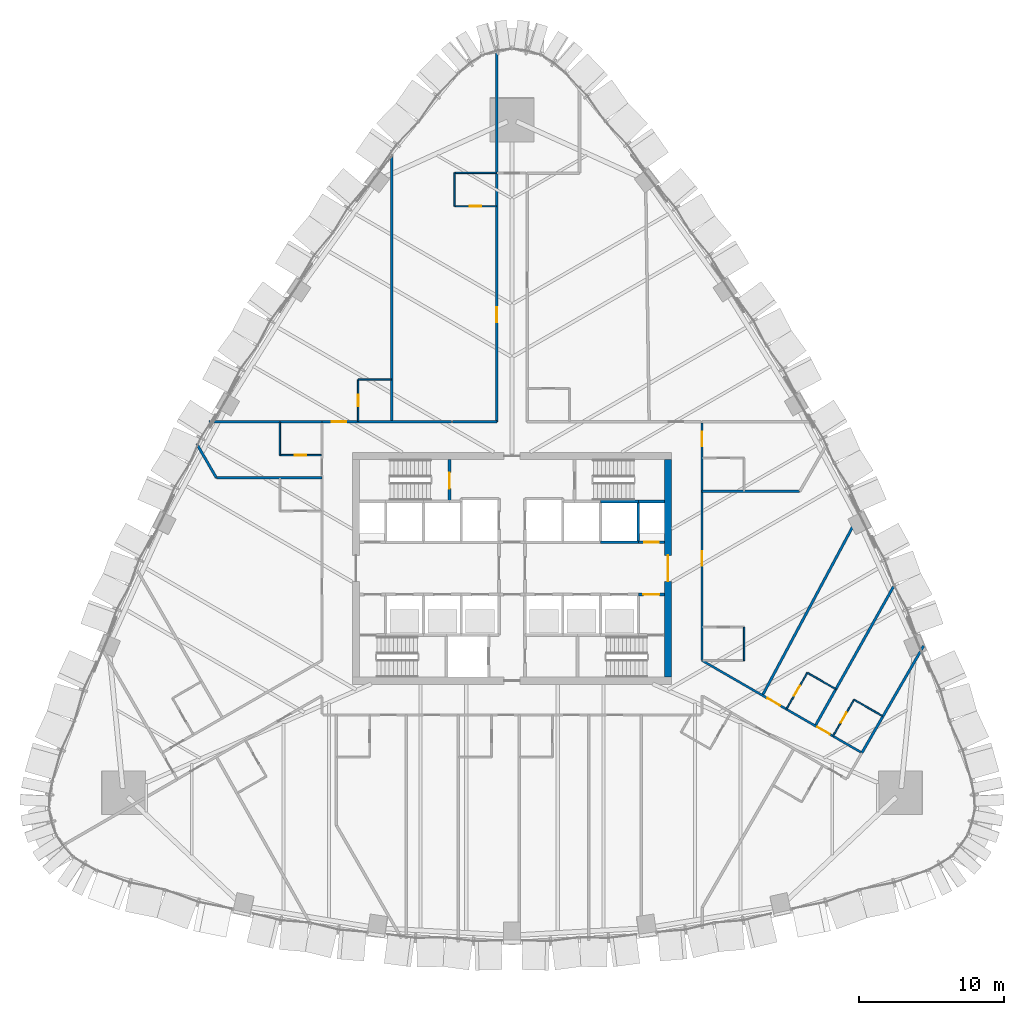
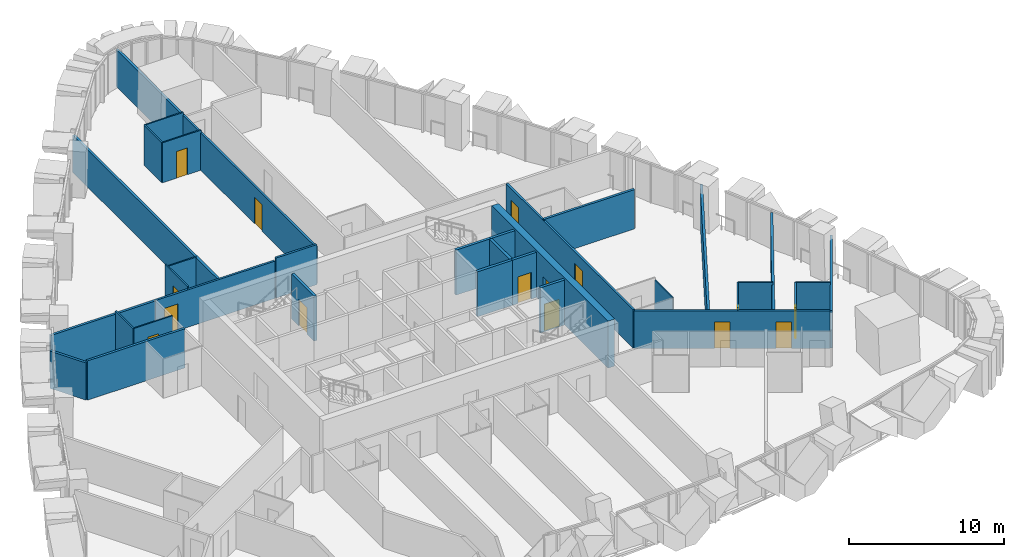
# One storey, part 16 of 22: 34 walls, 15 doors, 15 openings.
"""IFC4 building model written with IfcOpenShell, lengths in metres."""

from ifc_helpers import new_model, si_unit, direction, frame, frame_2d, origin, place, context, subcontext, project, spatial, rectangle, extrude, material, layer, layer_set, type_object, element, fill, save


model = new_model("IFC4")

# Units and contexts
model_context = context("Model", 3, precision=1e-05, world=origin(), true_north=direction((0.0, 1.0)))
body_context = subcontext(model_context, "Body", "Model", "MODEL_VIEW")
ifc_project = project(units=[si_unit("LENGTHUNIT", "METRE"), si_unit("AREAUNIT", "SQUARE_METRE"), si_unit("VOLUMEUNIT", "CUBIC_METRE"), si_unit("PLANEANGLEUNIT", "RADIAN"), si_unit("MASSUNIT", "GRAM", prefix="KILO")], contexts=[model_context])

# Site, building, storey
site_placement = place(None, origin())
site = spatial("IfcSite", under=ifc_project, at=site_placement, CompositionType="ELEMENT")
building_placement = place(site_placement, origin())
building = spatial("IfcBuilding", under=site, at=building_placement, Name="Sierra Prisma Convention Tower", CompositionType="ELEMENT")
storey_placement = place(building_placement, frame((0.0, 0.0, 62.800048828125)))
storey = spatial("IfcBuildingStorey", under=building, at=storey_placement, Name="L11", CompositionType="ELEMENT", Elevation=62.800048828125)

# Wall, opening, door
ifc_material_1 = material(Name="Gypsum board partition", Category="gypsum")
ifc_layer_1 = layer(ifc_material_1, 0.10009765625)
ifc_layer_set_1 = layer_set([ifc_layer_1], Name="Bathroom partition 100")
wall_type_1 = type_object("IfcWallType", Name="Bathroom partition 100", PredefinedType="PARTITIONING", material=ifc_layer_set_1)
wall_1_placement = place(storey_placement, frame((-13.1298828125, 7.800048828125, 0.0), z_axis=(0.0, 0.0, 1.0), x_axis=(-1.0, 0.0, 0.0)))
wall_1 = element("IfcWall", 1, at=wall_1_placement, inside=storey, type_object=wall_type_1, Name="Partition L11 bath 7", PredefinedType="PARTITIONING", context=body_context, shape_type="SweptSolid", body=[
    extrude(rectangle(XDim=2.8701171875, YDim=0.10009765625, at=frame_2d((1.43505859375, 0.0))), origin(), (0.0, 0.0, 1.0), 3.14990234375),
])
opening_1_placement = place(wall_1_placement, frame((1.034912109375, 0.0, 0.0)))
opening_1 = element("IfcOpeningElement", 2, at=opening_1_placement, cuts=wall_1, Name="Opening L11-D005", PredefinedType="OPENING", context=body_context, shape_type="SweptSolid", body=[
    extrude(rectangle(XDim=0.800048828125, YDim=2.10009765625, at=frame_2d((0.39990234375, 1.050048828125))), frame((0.0, 0.050048828125, 0.0), z_axis=(0.0, -1.0, 0.0), x_axis=(1.0, 0.0, 0.0)), (0.0, 0.0, 1.0), 0.10009765625),
])
ifc_material_2 = material(Name="Solid core timber door leaf", Category="wood")
door_type_1 = type_object("IfcDoorType", Name="Door 800x2100 plain", OperationType="SINGLE_SWING_LEFT", PredefinedType="DOOR", material=ifc_material_2)
door_1_placement = place(opening_1_placement, origin())
door_1 = element("IfcDoor", 3, at=door_1_placement, inside=storey, type_object=door_type_1, Name="Door L11 12", OperationType="SINGLE_SWING_RIGHT", OverallHeight=2.10009765625, OverallWidth=0.800048828125, PredefinedType="DOOR", context=body_context, shape_type="SweptSolid", body=[
    extrude(rectangle(XDim=0.800048828125, YDim=2.10009765625, at=frame_2d((0.39990234375, 1.050048828125))), frame((0.0, 0.02490234375, 0.0), z_axis=(0.0, -1.0, 0.0), x_axis=(1.0, 0.0, 0.0)), (0.0, 0.0, 1.0), 0.050048828125),
])
fill(opening_1, door_1)

# Wall
wall_2_placement = place(storey_placement, frame((-16.0, 7.800048828125, 0.0), z_axis=(0.0, 0.0, 1.0), x_axis=(0.0, 1.0, 0.0)))
element("IfcWall", 4, at=wall_2_placement, inside=storey, type_object=wall_type_1, Name="Partition L11 bath 8", PredefinedType="PARTITIONING", context=body_context, shape_type="SweptSolid", body=[
    extrude(rectangle(XDim=2.27001953125, YDim=0.10009765625, at=frame_2d((1.135009765625, 0.0))), origin(), (0.0, 0.0, 1.0), 3.14990234375),
])

# Wall, opening, door
wall_3_placement = place(storey_placement, frame((-10.60009765625, 10.1298828125, 0.0), z_axis=(0.0, 0.0, 1.0), x_axis=(0.0, 1.0, 0.0)))
wall_3 = element("IfcWall", 5, at=wall_3_placement, inside=storey, type_object=wall_type_1, Name="Partition L11 bath 11", PredefinedType="PARTITIONING", context=body_context, shape_type="SweptSolid", body=[
    extrude(rectangle(XDim=2.8701171875, YDim=0.10009765625, at=frame_2d((1.43505859375, 0.0))), origin(), (0.0, 0.0, 1.0), 3.14990234375),
])
opening_2_placement = place(wall_3_placement, frame((1.034912109375, 0.0, 0.0)))
opening_2 = element("IfcOpeningElement", 6, at=opening_2_placement, cuts=wall_3, Name="Opening L11-D004", PredefinedType="OPENING", context=body_context, shape_type="SweptSolid", body=[
    extrude(rectangle(XDim=0.800048828125, YDim=2.10009765625, at=frame_2d((0.39990234375, 1.050048828125))), frame((0.0, 0.050048828125, 0.0), z_axis=(0.0, -1.0, 0.0), x_axis=(1.0, 0.0, 0.0)), (0.0, 0.0, 1.0), 0.10009765625),
])
door_2_placement = place(opening_2_placement, origin())
door_2 = element("IfcDoor", 7, at=door_2_placement, inside=storey, type_object=door_type_1, Name="Door L11 10", OperationType="SINGLE_SWING_LEFT", OverallHeight=2.10009765625, OverallWidth=0.800048828125, PredefinedType="DOOR", context=body_context, shape_type="SweptSolid", body=[
    extrude(rectangle(XDim=0.800048828125, YDim=2.10009765625, at=frame_2d((0.39990234375, 1.050048828125))), frame((0.0, 0.02490234375, 0.0), z_axis=(0.0, -1.0, 0.0), x_axis=(1.0, 0.0, 0.0)), (0.0, 0.0, 1.0), 0.050048828125),
])
fill(opening_2, door_2)

# Wall
wall_4_placement = place(storey_placement, frame((-10.60009765625, 13.0, 0.0), z_axis=(0.0, 0.0, 1.0), x_axis=(1.0, 0.0, 0.0)))
element("IfcWall", 8, at=wall_4_placement, inside=storey, type_object=wall_type_1, Name="Partition L11 bath 12", PredefinedType="PARTITIONING", context=body_context, shape_type="SweptSolid", body=[
    extrude(rectangle(XDim=2.27001953125, YDim=0.10009765625, at=frame_2d((1.135009765625, 0.0))), origin(), (0.0, 0.0, 1.0), 2.947021484375),
])

# Wall, opening, door
wall_5_placement = place(storey_placement, frame((-1.080078125, 24.953125, 0.0), z_axis=(0.0, 0.0, 1.0), x_axis=(-1.0, 0.0, 0.0)))
wall_5 = element("IfcWall", 9, at=wall_5_placement, inside=storey, type_object=wall_type_1, Name="Partition L11 bath 15", PredefinedType="PARTITIONING", context=body_context, shape_type="SweptSolid", body=[
    extrude(rectangle(XDim=2.869873046875, YDim=0.10009765625, at=frame_2d((1.43505859375, 0.0))), origin(), (0.0, 0.0, 1.0), 3.14990234375),
])
opening_3_placement = place(wall_5_placement, frame((1.034912109375, 0.0, 0.0)))
opening_3 = element("IfcOpeningElement", 10, at=opening_3_placement, cuts=wall_5, Name="Opening L11-D003", PredefinedType="OPENING", context=body_context, shape_type="SweptSolid", body=[
    extrude(rectangle(XDim=0.800048828125, YDim=2.10009765625, at=frame_2d((0.39990234375, 1.050048828125))), frame((0.0, 0.050048828125, 0.0), z_axis=(0.0, -1.0, 0.0), x_axis=(1.0, 0.0, 0.0)), (0.0, 0.0, 1.0), 0.10009765625),
])
door_3_placement = place(opening_3_placement, origin())
door_3 = element("IfcDoor", 11, at=door_3_placement, inside=storey, type_object=door_type_1, Name="Door L11 8", OperationType="SINGLE_SWING_LEFT", OverallHeight=2.10009765625, OverallWidth=0.800048828125, PredefinedType="DOOR", context=body_context, shape_type="SweptSolid", body=[
    extrude(rectangle(XDim=0.800048828125, YDim=2.10009765625, at=frame_2d((0.39990234375, 1.050048828125))), frame((0.0, 0.02490234375, 0.0), z_axis=(0.0, -1.0, 0.0), x_axis=(1.0, 0.0, 0.0)), (0.0, 0.0, 1.0), 0.050048828125),
])
fill(opening_3, door_3)

# Walls
wall_6_placement = place(storey_placement, frame((-3.949951171875, 24.953125, 0.0), z_axis=(0.0, 0.0, 1.0), x_axis=(0.0, 1.0, 0.0)))
element("IfcWall", 12, at=wall_6_placement, inside=storey, type_object=wall_type_1, Name="Partition L11 bath 16", PredefinedType="PARTITIONING", context=body_context, shape_type="SweptSolid", body=[
    extrude(rectangle(XDim=2.300048828125, YDim=0.10009765625, at=frame_2d((1.14990234375, 0.0))), origin(), (0.0, 0.0, 1.0), 3.14990234375),
])
wall_7_placement = place(storey_placement, frame((-3.949951171875, 27.253173828125, 0.0), z_axis=(0.0, 0.0, 1.0), x_axis=(1.0, 0.0, 0.0)))
element("IfcWall", 13, at=wall_7_placement, inside=storey, type_object=wall_type_1, Name="Partition L11 bath 17", PredefinedType="PARTITIONING", context=body_context, shape_type="SweptSolid", body=[
    extrude(rectangle(XDim=2.869873046875, YDim=0.10009765625, at=frame_2d((1.43505859375, 0.0))), origin(), (0.0, 0.0, 1.0), 3.14990234375),
])
wall_8_placement = place(storey_placement, frame((16.0, -4.05078125, 0.0), z_axis=(0.0, 0.0, 1.0), x_axis=(0.0, -1.0, 0.0)))
element("IfcWall", 14, at=wall_8_placement, inside=storey, type_object=wall_type_1, Name="Partition L11 bath 26", PredefinedType="PARTITIONING", context=body_context, shape_type="SweptSolid", body=[
    extrude(rectangle(XDim=2.300048828125, YDim=0.10009765625, at=frame_2d((1.14990234375, 0.0))), origin(), (0.0, 0.0, 1.0), 2.947021484375),
])

# Wall, opening, door
wall_9_placement = place(storey_placement, frame((18.91748046875, -9.6748046875, 0.0), z_axis=(0.0, 0.0, 1.0), x_axis=(0.499972835562, 0.866041086612, 0.0)))
wall_9 = element("IfcWall", 15, at=wall_9_placement, inside=storey, type_object=wall_type_1, Name="Partition L11 bath 32", PredefinedType="PARTITIONING", context=body_context, shape_type="SweptSolid", body=[
    extrude(rectangle(XDim=2.869873046875, YDim=0.10009765625, at=frame_2d((1.43505859375, 0.0))), origin(), (0.0, 0.0, 1.0), 3.14990234375),
])
opening_4_placement = place(wall_9_placement, frame((1.034912109375, 0.0, 0.0)))
opening_4 = element("IfcOpeningElement", 16, at=opening_4_placement, cuts=wall_9, Name="Opening L11-D015", PredefinedType="OPENING", context=body_context, shape_type="SweptSolid", body=[
    extrude(rectangle(XDim=0.800048828125, YDim=2.10009765625, at=frame_2d((0.39990234375, 1.050048828125))), frame((0.0, 0.050048828125, 0.0), z_axis=(0.0, -1.0, 0.0), x_axis=(1.0, 0.0, 0.0)), (0.0, 0.0, 1.0), 0.10009765625),
])
door_4_placement = place(opening_4_placement, origin())
door_4 = element("IfcDoor", 17, at=door_4_placement, inside=storey, type_object=door_type_1, Name="Door L11 36", OperationType="SINGLE_SWING_LEFT", OverallHeight=2.10009765625, OverallWidth=0.800048828125, PredefinedType="DOOR", context=body_context, shape_type="SweptSolid", body=[
    extrude(rectangle(XDim=0.800048828125, YDim=2.10009765625, at=frame_2d((0.39990234375, 1.050048828125))), frame((0.0, 0.02490234375, 0.0), z_axis=(0.0, -1.0, 0.0), x_axis=(1.0, 0.0, 0.0)), (0.0, 0.0, 1.0), 0.050048828125),
])
fill(opening_4, door_4)

# Wall
wall_10_placement = place(storey_placement, frame((20.352294921875, -7.189453125, 0.0), z_axis=(0.0, 0.0, 1.0), x_axis=(0.866017224141, -0.500014167291, 0.0)))
element("IfcWall", 18, at=wall_10_placement, inside=storey, type_object=wall_type_1, Name="Partition L11 bath 33", PredefinedType="PARTITIONING", context=body_context, shape_type="SweptSolid", body=[
    extrude(rectangle(XDim=2.27001953125, YDim=0.10009765625, at=frame_2d((1.135009765625, 0.0))), origin(), (0.0, 0.0, 1.0), 3.14990234375),
])

# Wall, opening, door
wall_11_placement = place(storey_placement, frame((22.1328125, -11.53125, 0.0), z_axis=(0.0, 0.0, 1.0), x_axis=(0.500036638401, 0.866004249561, 0.0)))
wall_11 = element("IfcWall", 19, at=wall_11_placement, inside=storey, type_object=wall_type_1, Name="Partition L11 bath 34", PredefinedType="PARTITIONING", context=body_context, shape_type="SweptSolid", body=[
    extrude(rectangle(XDim=2.869873046875, YDim=0.10009765625, at=frame_2d((1.43505859375, 0.0))), origin(), (0.0, 0.0, 1.0), 3.14990234375),
])
opening_5_placement = place(wall_11_placement, frame((1.034912109375, 0.0, 0.0)))
opening_5 = element("IfcOpeningElement", 20, at=opening_5_placement, cuts=wall_11, Name="Opening L11-D014", PredefinedType="OPENING", context=body_context, shape_type="SweptSolid", body=[
    extrude(rectangle(XDim=0.800048828125, YDim=2.10009765625, at=frame_2d((0.39990234375, 1.050048828125))), frame((0.0, 0.050048828125, 0.0), z_axis=(0.0, -1.0, 0.0), x_axis=(1.0, 0.0, 0.0)), (0.0, 0.0, 1.0), 0.10009765625),
])
door_5_placement = place(opening_5_placement, origin())
door_5 = element("IfcDoor", 21, at=door_5_placement, inside=storey, type_object=door_type_1, Name="Door L11 34", OperationType="SINGLE_SWING_RIGHT", OverallHeight=2.10009765625, OverallWidth=0.800048828125, PredefinedType="DOOR", context=body_context, shape_type="SweptSolid", body=[
    extrude(rectangle(XDim=0.800048828125, YDim=2.10009765625, at=frame_2d((0.39990234375, 1.050048828125))), frame((0.0, 0.02490234375, 0.0), z_axis=(0.0, -1.0, 0.0), x_axis=(1.0, 0.0, 0.0)), (0.0, 0.0, 1.0), 0.050048828125),
])
fill(opening_5, door_5)

# Wall
wall_12_placement = place(storey_placement, frame((23.56787109375, -9.0458984375, 0.0), z_axis=(0.0, 0.0, 1.0), x_axis=(0.866017224141, -0.500014167291, 0.0)))
element("IfcWall", 22, at=wall_12_placement, inside=storey, type_object=wall_type_1, Name="Partition L11 bath 35", PredefinedType="PARTITIONING", context=body_context, shape_type="SweptSolid", body=[
    extrude(rectangle(XDim=2.27001953125, YDim=0.10009765625, at=frame_2d((1.135009765625, 0.0))), origin(), (0.0, 0.0, 1.0), 3.14990234375),
])

# Wall, opening, door
ifc_material_3 = material(Name="Concrete C30/37", Category="concrete")
ifc_layer_2 = layer(ifc_material_3, 0.199951171875)
ifc_layer_set_2 = layer_set([ifc_layer_2], Name="Core wall RC 200 C30/37")
wall_type_2 = type_object("IfcWallType", Name="Core wall RC 200 C30/37", PredefinedType="SOLIDWALL", material=ifc_layer_set_2)
wall_13_placement = place(storey_placement, frame((-4.300048828125, 4.60009765625, 0.0), z_axis=(0.0, 0.0, 1.0), x_axis=(0.0, 1.0, 0.0)))
wall_13 = element("IfcWall", 23, at=wall_13_placement, inside=storey, type_object=wall_type_2, Name="Core wall L11 20", PredefinedType="SOLIDWALL", context=body_context, shape_type="SweptSolid", body=[
    extrude(rectangle(XDim=2.89990234375, YDim=0.199951171875, at=frame_2d((1.449951171875, 0.0))), origin(), (0.0, 0.0, 1.0), 3.550048828125),
])
opening_6_placement = place(wall_13_placement, frame((0.89990234375, 0.0, 0.0)))
opening_6 = element("IfcOpeningElement", 24, at=opening_6_placement, cuts=wall_13, Name="Opening L11-D036", PredefinedType="OPENING", context=body_context, shape_type="SweptSolid", body=[
    extrude(rectangle(XDim=1.10009765625, YDim=2.10009765625, at=frame_2d((0.550048828125, 1.050048828125))), frame((0.0, 0.10009765625, 0.0), z_axis=(0.0, -1.0, 0.0), x_axis=(1.0, 0.0, 0.0)), (0.0, 0.0, 1.0), 0.199951171875),
])
ifc_material_4 = material(Name="Steel fire door leaf", Category="steel")
door_type_2 = type_object("IfcDoorType", Name="Door 1100x2100 FD90S", OperationType="SINGLE_SWING_LEFT", PredefinedType="DOOR", material=ifc_material_4)
door_6_placement = place(opening_6_placement, origin())
door_6 = element("IfcDoor", 25, at=door_6_placement, inside=storey, type_object=door_type_2, Name="Door L11 58", OperationType="SINGLE_SWING_RIGHT", OverallHeight=2.10009765625, OverallWidth=1.10009765625, PredefinedType="DOOR", context=body_context, shape_type="SweptSolid", body=[
    extrude(rectangle(XDim=1.10009765625, YDim=2.10009765625, at=frame_2d((0.550048828125, 1.050048828125))), frame((0.0, 0.02490234375, 0.0), z_axis=(0.0, -1.0, 0.0), x_axis=(1.0, 0.0, 0.0)), (0.0, 0.0, 1.0), 0.050048828125),
])
fill(opening_6, door_6)

# Walls
for number, where, z_axis, x_axis, name in (
    (26, (8.699951171875, 1.800048828125, 0.0), (0.0, 0.0, 1.0), (-1.0, 0.0, 0.0), "Core wall L11 57"),
    (27, (8.699951171875, 4.60009765625, 0.0), (0.0, 0.0, 1.0), (-1.0, 0.0, 0.0), "Core wall L11 59"),
):
    element("IfcWall", number, at=place(storey_placement, frame(where, z_axis=z_axis, x_axis=x_axis)), inside=storey, type_object=wall_type_2, Name=name, PredefinedType="SOLIDWALL", context=body_context, shape_type="SweptSolid", body=[
        extrude(rectangle(XDim=2.599853515625, YDim=0.199951171875, at=frame_2d((1.2998046875, 0.0))), origin(), (0.0, 0.0, 1.0), 3.550048828125),
    ])

# Wall, opening, door
wall_14_placement = place(storey_placement, frame((8.699951171875, -1.800048828125, 0.0), z_axis=(0.0, 0.0, 1.0), x_axis=(1.0, 0.0, 0.0)))
wall_14 = element("IfcWall", 28, at=wall_14_placement, inside=storey, type_object=wall_type_2, Name="Core wall L11 62", PredefinedType="SOLIDWALL", context=body_context, shape_type="SweptSolid", body=[
    extrude(rectangle(XDim=1.800048828125, YDim=0.199951171875, at=frame_2d((0.89990234375, 0.0))), origin(), (0.0, 0.0, 1.0), 3.550048828125),
])
opening_7_placement = place(wall_14_placement, frame((0.35009765625, 0.0, 0.0)))
opening_7 = element("IfcOpeningElement", 29, at=opening_7_placement, cuts=wall_14, Name="Opening L11-D029", PredefinedType="OPENING", context=body_context, shape_type="SweptSolid", body=[
    extrude(rectangle(XDim=1.10009765625, YDim=2.10009765625, at=frame_2d((0.550048828125, 1.050048828125))), frame((0.0, 0.10009765625, 0.0), z_axis=(0.0, -1.0, 0.0), x_axis=(1.0, 0.0, 0.0)), (0.0, 0.0, 1.0), 0.199951171875),
])
door_7_placement = place(opening_7_placement, origin())
door_7 = element("IfcDoor", 30, at=door_7_placement, inside=storey, type_object=door_type_2, Name="Door L11 51", OperationType="SINGLE_SWING_LEFT", OverallHeight=2.10009765625, OverallWidth=1.10009765625, PredefinedType="DOOR", context=body_context, shape_type="SweptSolid", body=[
    extrude(rectangle(XDim=1.10009765625, YDim=2.10009765625, at=frame_2d((0.550048828125, 1.050048828125))), frame((0.0, 0.02490234375, 0.0), z_axis=(0.0, -1.0, 0.0), x_axis=(1.0, 0.0, 0.0)), (0.0, 0.0, 1.0), 0.050048828125),
])
fill(opening_7, door_7)

wall_15_placement = place(storey_placement, frame((10.5, 1.800048828125, 0.0), z_axis=(0.0, 0.0, 1.0), x_axis=(-1.0, 0.0, 0.0)))
wall_15 = element("IfcWall", 31, at=wall_15_placement, inside=storey, type_object=wall_type_2, Name="Core wall L11 63", PredefinedType="SOLIDWALL", context=body_context, shape_type="SweptSolid", body=[
    extrude(rectangle(XDim=1.800048828125, YDim=0.199951171875, at=frame_2d((0.89990234375, 0.0))), origin(), (0.0, 0.0, 1.0), 3.550048828125),
])
opening_8_placement = place(wall_15_placement, frame((0.39990234375, 0.0, 0.0)))
opening_8 = element("IfcOpeningElement", 32, at=opening_8_placement, cuts=wall_15, Name="Opening L11-D033", PredefinedType="OPENING", context=body_context, shape_type="SweptSolid", body=[
    extrude(rectangle(XDim=1.0, YDim=2.10009765625, at=frame_2d((0.5, 1.050048828125))), frame((0.0, 0.10009765625, 0.0), z_axis=(0.0, -1.0, 0.0), x_axis=(1.0, 0.0, 0.0)), (0.0, 0.0, 1.0), 0.199951171875),
])
ifc_material_5 = material(Name="Steel fire door leaf", Category="steel")
door_type_3 = type_object("IfcDoorType", Name="Door 1000x2100 FD60S", OperationType="SINGLE_SWING_LEFT", PredefinedType="DOOR", material=ifc_material_5)
door_8_placement = place(opening_8_placement, origin())
door_8 = element("IfcDoor", 33, at=door_8_placement, inside=storey, type_object=door_type_3, Name="Door L11 55", OperationType="SINGLE_SWING_LEFT", OverallHeight=2.10009765625, OverallWidth=1.0, PredefinedType="DOOR", context=body_context, shape_type="SweptSolid", body=[
    extrude(rectangle(XDim=1.0, YDim=2.10009765625, at=frame_2d((0.5, 1.050048828125))), frame((0.0, 0.02490234375, 0.0), z_axis=(0.0, -1.0, 0.0), x_axis=(1.0, 0.0, 0.0)), (0.0, 0.0, 1.0), 0.050048828125),
])
fill(opening_8, door_8)

# Walls
wall_16_placement = place(storey_placement, frame((8.699951171875, 4.60009765625, 0.0), z_axis=(0.0, 0.0, 1.0), x_axis=(0.0, -1.0, 0.0)))
element("IfcWall", 34, at=wall_16_placement, inside=storey, type_object=wall_type_2, Name="Core wall L11 64", PredefinedType="SOLIDWALL", context=body_context, shape_type="SweptSolid", body=[
    extrude(rectangle(XDim=2.800048828125, YDim=0.199951171875, at=frame_2d((1.39990234375, 0.0))), origin(), (0.0, 0.0, 1.0), 3.550048828125),
])
wall_17_placement = place(storey_placement, frame((10.5, 4.60009765625, 0.0), z_axis=(0.0, 0.0, 1.0), x_axis=(-1.0, 0.0, 0.0)))
element("IfcWall", 35, at=wall_17_placement, inside=storey, type_object=wall_type_2, Name="Core wall L11 65", PredefinedType="SOLIDWALL", context=body_context, shape_type="SweptSolid", body=[
    extrude(rectangle(XDim=1.800048828125, YDim=0.199951171875, at=frame_2d((0.89990234375, 0.0))), origin(), (0.0, 0.0, 1.0), 3.550048828125),
])

# Wall, opening, door
ifc_material_6 = material(Name="Concrete C60/75", Category="concrete")
ifc_layer_3 = layer(ifc_material_6, 0.5)
ifc_layer_set_3 = layer_set([ifc_layer_3], Name="Core wall RC 500 C60/75")
wall_type_3 = type_object("IfcWallType", Name="Core wall RC 500 C60/75", PredefinedType="SHEAR", material=ifc_layer_set_3)
wall_18_placement = place(storey_placement, frame((10.75, -7.5, 0.0), z_axis=(0.0, 0.0, 1.0), x_axis=(0.0, 1.0, 0.0)))
wall_18 = element("IfcWall", 36, at=wall_18_placement, inside=storey, type_object=wall_type_3, Name="Core wall E L11", PredefinedType="SHEAR", context=body_context, shape_type="SweptSolid", body=[
    extrude(rectangle(XDim=15.0, YDim=0.5, at=frame_2d((7.5, 0.0))), origin(), (0.0, 0.0, 1.0), 3.699951171875),
])
opening_9_placement = place(wall_18_placement, frame((6.60009765625, 0.0, 0.0)))
opening_9 = element("IfcOpeningElement", 37, at=opening_9_placement, cuts=wall_18, Name="Opening L11-D061", PredefinedType="OPENING", context=body_context, shape_type="SweptSolid", body=[
    extrude(rectangle(XDim=1.800048828125, YDim=2.10009765625, at=frame_2d((0.89990234375, 1.050048828125))), frame((0.0, 0.25, 0.0), z_axis=(0.0, -1.0, 0.0), x_axis=(1.0, 0.0, 0.0)), (0.0, 0.0, 1.0), 0.5),
])
ifc_material_7 = material(Name="Steel fire door leaf", Category="steel")
door_type_4 = type_object("IfcDoorType", Name="Door 1800x2100 FD60S", OperationType="DOUBLE_DOOR_SINGLE_SWING", PredefinedType="DOOR", material=ifc_material_7)
door_9_placement = place(opening_9_placement, origin())
door_9 = element("IfcDoor", 38, at=door_9_placement, inside=storey, type_object=door_type_4, Name="Door L11 62", OperationType="DOUBLE_DOOR_SINGLE_SWING", OverallHeight=2.10009765625, OverallWidth=1.800048828125, PredefinedType="DOOR", context=body_context, shape_type="SweptSolid", body=[
    extrude(rectangle(XDim=1.800048828125, YDim=2.10009765625, at=frame_2d((0.89990234375, 1.050048828125))), frame((0.0, 0.02490234375, 0.0), z_axis=(0.0, -1.0, 0.0), x_axis=(1.0, 0.0, 0.0)), (0.0, 0.0, 1.0), 0.050048828125),
])
fill(opening_9, door_9)

ifc_material_8 = material(Name="Gypsum board partition", Category="gypsum")
ifc_layer_4 = layer(ifc_material_8, 0.14990234375)
ifc_layer_set_4 = layer_set([ifc_layer_4], Name="Corridor wall 150 gypsum EI 60")
wall_type_4 = type_object("IfcWallType", Name="Corridor wall 150 gypsum EI 60", PredefinedType="PARTITIONING", material=ifc_layer_set_4)
wall_19_placement = place(storey_placement, frame((-4.179931640625, 10.10009765625, 0.0), z_axis=(0.0, 0.0, 1.0), x_axis=(-1.0, 0.0, 0.0)))
wall_19 = element("IfcWall", 39, at=wall_19_placement, inside=storey, type_object=wall_type_4, Name="Partition L11 corr 6", PredefinedType="PARTITIONING", context=body_context, shape_type="SweptSolid", body=[
    extrude(rectangle(XDim=8.920166015625, YDim=0.14990234375, at=frame_2d((4.4599609375, 0.0))), origin(), (0.0, 0.0, 1.0), 2.947021484375),
])
opening_10_placement = place(wall_19_placement, frame((7.22998046875, 0.0, 0.0)))
opening_10 = element("IfcOpeningElement", 40, at=opening_10_placement, cuts=wall_19, Name="Opening L11-D044", PredefinedType="OPENING", context=body_context, shape_type="SweptSolid", body=[
    extrude(rectangle(XDim=1.0, YDim=2.10009765625, at=frame_2d((0.5, 1.050048828125))), frame((0.0, 0.074951171875, 0.0), z_axis=(0.0, -1.0, 0.0), x_axis=(1.0, 0.0, 0.0)), (0.0, 0.0, 1.0), 0.14990234375),
])
ifc_material_9 = material(Name="Steel fire door leaf", Category="steel")
door_type_5 = type_object("IfcDoorType", Name="Door 1000x2100 FD30S", OperationType="SINGLE_SWING_LEFT", PredefinedType="DOOR", material=ifc_material_9)
door_10_placement = place(opening_10_placement, origin())
door_10 = element("IfcDoor", 41, at=door_10_placement, inside=storey, type_object=door_type_5, Name="Door L11 9", OperationType="SINGLE_SWING_RIGHT", OverallHeight=2.10009765625, OverallWidth=1.0, PredefinedType="DOOR", context=body_context, shape_type="SweptSolid", body=[
    extrude(rectangle(XDim=1.0, YDim=2.10009765625, at=frame_2d((0.5, 1.050048828125))), frame((0.0, 0.02490234375, 0.0), z_axis=(0.0, -1.0, 0.0), x_axis=(1.0, 0.0, 0.0)), (0.0, 0.0, 1.0), 0.050048828125),
])
fill(opening_10, door_10)

wall_20_placement = place(storey_placement, frame((-1.050048828125, 27.233154296875, 0.0), z_axis=(0.0, 0.0, 1.0), x_axis=(0.0, -1.0, 0.0)))
wall_20 = element("IfcWall", 42, at=wall_20_placement, inside=storey, type_object=wall_type_4, Name="Partition L11 corr 9", PredefinedType="PARTITIONING", context=body_context, shape_type="SweptSolid", body=[
    extrude(rectangle(XDim=17.133056640625, YDim=0.14990234375, at=frame_2d((8.56640625, 0.0))), origin(), (0.0, 0.0, 1.0), 2.947021484375),
])
opening_11_placement = place(wall_20_placement, frame((9.256591796875, 0.0, 0.0)))
opening_11 = element("IfcOpeningElement", 43, at=opening_11_placement, cuts=wall_20, Name="Opening L11-D043", PredefinedType="OPENING", context=body_context, shape_type="SweptSolid", body=[
    extrude(rectangle(XDim=1.0, YDim=2.10009765625, at=frame_2d((0.5, 1.050048828125))), frame((0.0, 0.074951171875, 0.0), z_axis=(0.0, -1.0, 0.0), x_axis=(1.0, 0.0, 0.0)), (0.0, 0.0, 1.0), 0.14990234375),
])
door_11_placement = place(opening_11_placement, origin())
door_11 = element("IfcDoor", 44, at=door_11_placement, inside=storey, type_object=door_type_5, Name="Door L11 7", OperationType="SINGLE_SWING_LEFT", OverallHeight=2.10009765625, OverallWidth=1.0, PredefinedType="DOOR", context=body_context, shape_type="SweptSolid", body=[
    extrude(rectangle(XDim=1.0, YDim=2.10009765625, at=frame_2d((0.5, 1.050048828125))), frame((0.0, 0.02490234375, 0.0), z_axis=(0.0, -1.0, 0.0), x_axis=(1.0, 0.0, 0.0)), (0.0, 0.0, 1.0), 0.050048828125),
])
fill(opening_11, door_11)

# Wall
wall_21_placement = place(storey_placement, frame((-1.050048828125, 10.10009765625, 0.0), z_axis=(0.0, 0.0, 1.0), x_axis=(-1.0, 0.0, 0.0)))
element("IfcWall", 45, at=wall_21_placement, inside=storey, type_object=wall_type_4, Name="Partition L11 corr 10", PredefinedType="PARTITIONING", context=body_context, shape_type="SweptSolid", body=[
    extrude(rectangle(XDim=3.050048828125, YDim=0.14990234375, at=frame_2d((1.52490234375, 0.0))), origin(), (0.0, 0.0, 1.0), 3.14990234375),
])

# Wall, openings, doors
wall_22_placement = place(storey_placement, frame((24.040283203125, -12.667236328125, 0.0), z_axis=(0.0, 0.0, 1.0), x_axis=(-0.866022415501, 0.500005175824, 0.0)))
wall_22 = element("IfcWall", 46, at=wall_22_placement, inside=storey, type_object=wall_type_4, Name="Partition L11 corr 16", PredefinedType="PARTITIONING", context=body_context, shape_type="SweptSolid", body=[
    extrude(rectangle(XDim=12.632568359375, YDim=0.14990234375, at=frame_2d((6.31640625, 0.0))), origin(), (0.0, 0.0, 1.0), 2.947021484375),
])
opening_12_placement = place(wall_22_placement, frame((2.4765625, 0.0, 0.0)))
opening_12 = element("IfcOpeningElement", 47, at=opening_12_placement, cuts=wall_22, Name="Opening L11-D058", PredefinedType="OPENING", context=body_context, shape_type="SweptSolid", body=[
    extrude(rectangle(XDim=1.0, YDim=2.10009765625, at=frame_2d((0.5, 1.050048828125))), frame((0.0, 0.074951171875, 0.0), z_axis=(0.0, -1.0, 0.0), x_axis=(1.0, 0.0, 0.0)), (0.0, 0.0, 1.0), 0.14990234375),
])
opening_13_placement = place(wall_22_placement, frame((6.432861328125, 0.0, 0.0)))
opening_13 = element("IfcOpeningElement", 48, at=opening_13_placement, cuts=wall_22, Name="Opening L11-D059", PredefinedType="OPENING", context=body_context, shape_type="SweptSolid", body=[
    extrude(rectangle(XDim=1.0, YDim=2.10009765625, at=frame_2d((0.5, 1.050048828125))), frame((0.0, 0.074951171875, 0.0), z_axis=(0.0, -1.0, 0.0), x_axis=(1.0, 0.0, 0.0)), (0.0, 0.0, 1.0), 0.14990234375),
])
door_12_placement = place(opening_12_placement, origin())
door_12 = element("IfcDoor", 49, at=door_12_placement, inside=storey, type_object=door_type_5, Name="Door L11 33", OperationType="SINGLE_SWING_LEFT", OverallHeight=2.10009765625, OverallWidth=1.0, PredefinedType="DOOR", context=body_context, shape_type="SweptSolid", body=[
    extrude(rectangle(XDim=1.0, YDim=2.10009765625, at=frame_2d((0.5, 1.050048828125))), frame((0.0, 0.02490234375, 0.0), z_axis=(0.0, -1.0, 0.0), x_axis=(1.0, 0.0, 0.0)), (0.0, 0.0, 1.0), 0.050048828125),
])
fill(opening_12, door_12)
door_13_placement = place(opening_13_placement, origin())
door_13 = element("IfcDoor", 50, at=door_13_placement, inside=storey, type_object=door_type_5, Name="Door L11 35", OperationType="SINGLE_SWING_LEFT", OverallHeight=2.10009765625, OverallWidth=1.0, PredefinedType="DOOR", context=body_context, shape_type="SweptSolid", body=[
    extrude(rectangle(XDim=1.0, YDim=2.10009765625, at=frame_2d((0.5, 1.050048828125))), frame((0.0, 0.02490234375, 0.0), z_axis=(0.0, -1.0, 0.0), x_axis=(1.0, 0.0, 0.0)), (0.0, 0.0, 1.0), 0.050048828125),
])
fill(opening_13, door_13)

wall_23_placement = place(storey_placement, frame((13.10009765625, -6.350830078125, 0.0), z_axis=(0.0, 0.0, 1.0), x_axis=(0.0, 1.0, 0.0)))
wall_23 = element("IfcWall", 51, at=wall_23_placement, inside=storey, type_object=wall_type_4, Name="Partition L11 corr 17", PredefinedType="PARTITIONING", context=body_context, shape_type="SweptSolid", body=[
    extrude(rectangle(XDim=16.370849609375, YDim=0.14990234375, at=frame_2d((8.185546875, 0.0))), origin(), (0.0, 0.0, 1.0), 3.016845703125),
])
opening_14_placement = place(wall_23_placement, frame((14.7509765625, 0.0, 0.0)))
opening_14 = element("IfcOpeningElement", 52, at=opening_14_placement, cuts=wall_23, Name="Opening L11-D039", PredefinedType="OPENING", context=body_context, shape_type="SweptSolid", body=[
    extrude(rectangle(XDim=1.0, YDim=2.10009765625, at=frame_2d((0.5, 1.050048828125))), frame((0.0, 0.074951171875, 0.0), z_axis=(0.0, -1.0, 0.0), x_axis=(1.0, 0.0, 0.0)), (0.0, 0.0, 1.0), 0.14990234375),
])
opening_15_placement = place(wall_23_placement, frame((6.525390625, 0.0, 0.0)))
opening_15 = element("IfcOpeningElement", 53, at=opening_15_placement, cuts=wall_23, Name="Opening L11-D060", PredefinedType="OPENING", context=body_context, shape_type="SweptSolid", body=[
    extrude(rectangle(XDim=1.0, YDim=2.10009765625, at=frame_2d((0.5, 1.050048828125))), frame((0.0, 0.074951171875, 0.0), z_axis=(0.0, -1.0, 0.0), x_axis=(1.0, 0.0, 0.0)), (0.0, 0.0, 1.0), 0.14990234375),
])
door_14_placement = place(opening_14_placement, origin())
door_14 = element("IfcDoor", 54, at=door_14_placement, inside=storey, type_object=door_type_5, Name="Door L11 1", OperationType="SINGLE_SWING_LEFT", OverallHeight=2.10009765625, OverallWidth=1.0, PredefinedType="DOOR", context=body_context, shape_type="SweptSolid", body=[
    extrude(rectangle(XDim=1.0, YDim=2.10009765625, at=frame_2d((0.5, 1.050048828125))), frame((0.0, 0.02490234375, 0.0), z_axis=(0.0, -1.0, 0.0), x_axis=(1.0, 0.0, 0.0)), (0.0, 0.0, 1.0), 0.050048828125),
])
fill(opening_14, door_14)
door_15_placement = place(opening_15_placement, origin())
door_15 = element("IfcDoor", 55, at=door_15_placement, inside=storey, type_object=door_type_5, Name="Door L11 37", OperationType="SINGLE_SWING_LEFT", OverallHeight=2.10009765625, OverallWidth=1.0, PredefinedType="DOOR", context=body_context, shape_type="SweptSolid", body=[
    extrude(rectangle(XDim=1.0, YDim=2.10009765625, at=frame_2d((0.5, 1.050048828125))), frame((0.0, 0.02490234375, 0.0), z_axis=(0.0, -1.0, 0.0), x_axis=(1.0, 0.0, 0.0)), (0.0, 0.0, 1.0), 0.050048828125),
])
fill(opening_15, door_15)

# Walls
ifc_material_10 = material(Name="Acoustic gypsum board partition", Category="gypsum")
ifc_layer_5 = layer(ifc_material_10, 0.175048828125)
ifc_layer_set_5 = layer_set([ifc_layer_5], Name="Guest room party wall 175 acoustic EI 60")
wall_type_5 = type_object("IfcWallType", Name="Guest room party wall 175 acoustic EI 60", PredefinedType="PARTITIONING", material=ifc_layer_set_5)
wall_24_placement = place(storey_placement, frame((-13.10009765625, 6.2490234375, 0.0), z_axis=(0.0, 0.0, 1.0), x_axis=(-1.0, 0.0, 0.0)))
element("IfcWall", 56, at=wall_24_placement, inside=storey, type_object=wall_type_5, Name="Partition L11 hparty 4", PredefinedType="PARTITIONING", context=body_context, shape_type="SweptSolid", body=[
    extrude(rectangle(XDim=7.2744140625, YDim=0.175048828125, at=frame_2d((3.63720703125, 0.0))), origin(), (0.0, 0.0, 1.0), 3.093017578125),
])
wall_25_placement = place(storey_placement, frame((-20.37451171875, 6.2490234375, 0.0), z_axis=(0.0, 0.0, 1.0), x_axis=(-0.50004574482, 0.86599899139, 0.0)))
element("IfcWall", 57, at=wall_25_placement, inside=storey, type_object=wall_type_5, Name="Partition L11 hparty 5", PredefinedType="PARTITIONING", context=body_context, shape_type="SweptSolid", body=[
    extrude(rectangle(XDim=2.701904296875, YDim=0.175048828125, at=frame_2d((1.35107421875, 0.0))), origin(), (0.0, 0.0, 1.0), 2.933837890625),
])
wall_26_placement = place(storey_placement, frame((-13.10009765625, 10.10009765625, 0.0), z_axis=(0.0, 0.0, 1.0), x_axis=(-1.0, 0.0, 0.0)))
element("IfcWall", 58, at=wall_26_placement, inside=storey, type_object=wall_type_5, Name="Partition L11 hparty 6", PredefinedType="PARTITIONING", context=body_context, shape_type="SweptSolid", body=[
    extrude(rectangle(XDim=7.78759765625, YDim=0.175048828125, at=frame_2d((3.893798828125, 0.0))), origin(), (0.0, 0.0, 1.0), 2.933837890625),
])
wall_27_placement = place(storey_placement, frame((-8.300048828125, 10.10009765625, 0.0), z_axis=(0.0, 0.0, 1.0), x_axis=(0.0, 1.0, 0.0)))
element("IfcWall", 59, at=wall_27_placement, inside=storey, type_object=wall_type_5, Name="Partition L11 hparty 10", PredefinedType="PARTITIONING", context=body_context, shape_type="SweptSolid", body=[
    extrude(rectangle(XDim=18.732421875, YDim=0.175048828125, at=frame_2d((9.3662109375, 0.0))), origin(), (0.0, 0.0, 1.0), 2.933837890625),
])
wall_28_placement = place(storey_placement, frame((-1.050048828125, 35.810791015625, 0.0), z_axis=(0.0, 0.0, 1.0), x_axis=(0.0, -1.0, 0.0)))
element("IfcWall", 60, at=wall_28_placement, inside=storey, type_object=wall_type_5, Name="Partition L11 hparty 13", PredefinedType="PARTITIONING", context=body_context, shape_type="SweptSolid", body=[
    extrude(rectangle(XDim=8.57763671875, YDim=0.175048828125, at=frame_2d((4.288818359375, 0.0))), origin(), (0.0, 0.0, 1.0), 2.933837890625),
])
wall_29_placement = place(storey_placement, frame((19.82666015625, 5.300048828125, 0.0), z_axis=(0.0, 0.0, 1.0), x_axis=(-1.0, 0.0, 0.0)))
element("IfcWall", 61, at=wall_29_placement, inside=storey, type_object=wall_type_5, Name="Partition L11 hparty 23", PredefinedType="PARTITIONING", context=body_context, shape_type="SweptSolid", body=[
    extrude(rectangle(XDim=6.7265625, YDim=0.175048828125, at=frame_2d((3.36328125, 0.0))), origin(), (0.0, 0.0, 1.0), 3.093017578125),
])
wall_30_placement = place(storey_placement, frame((17.2568359375, -8.7509765625, 0.0), z_axis=(0.0, 0.0, 1.0), x_axis=(0.471767248767, 0.881723121502, 0.0)))
element("IfcWall", 62, at=wall_30_placement, inside=storey, type_object=wall_type_5, Name="Partition L11 hparty 25", PredefinedType="PARTITIONING", context=body_context, shape_type="SweptSolid", body=[
    extrude(rectangle(XDim=14.203369140625, YDim=0.175048828125, at=frame_2d((7.1015625, 0.0))), origin(), (0.0, 0.0, 1.0), 2.947021484375),
])
wall_31_placement = place(storey_placement, frame((20.894287109375, -10.850830078125, 0.0), z_axis=(0.0, 0.0, 1.0), x_axis=(0.489970665473, 0.871738921338, 0.0)))
element("IfcWall", 63, at=wall_31_placement, inside=storey, type_object=wall_type_5, Name="Partition L11 hparty 26", PredefinedType="PARTITIONING", context=body_context, shape_type="SweptSolid", body=[
    extrude(rectangle(XDim=11.010986328125, YDim=0.175048828125, at=frame_2d((5.50537109375, 0.0))), origin(), (0.0, 0.0, 1.0), 2.933837890625),
])
wall_32_placement = place(storey_placement, frame((24.109619140625, -12.707275390625, 0.0), z_axis=(0.0, 0.0, 1.0), x_axis=(0.500004040168, 0.86602307118, 0.0)))
element("IfcWall", 64, at=wall_32_placement, inside=storey, type_object=wall_type_5, Name="Partition L11 hparty 27", PredefinedType="PARTITIONING", context=body_context, shape_type="SweptSolid", body=[
    extrude(rectangle(XDim=8.505859375, YDim=0.175048828125, at=frame_2d((4.2529296875, 0.0))), origin(), (0.0, 0.0, 1.0), 2.933837890625),
])

save(model, "model.ifc")
